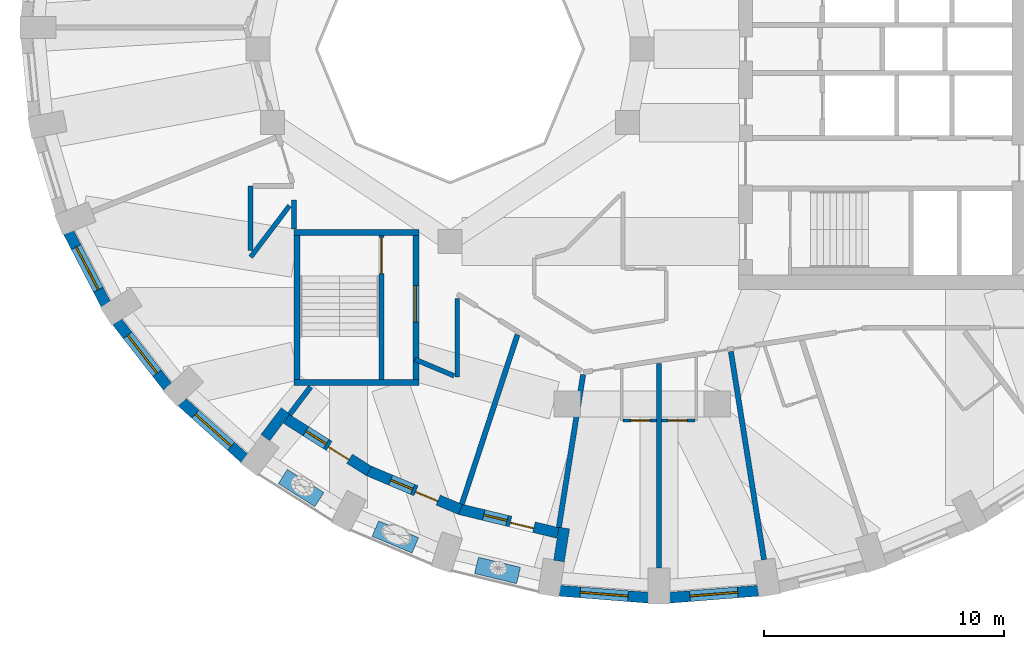
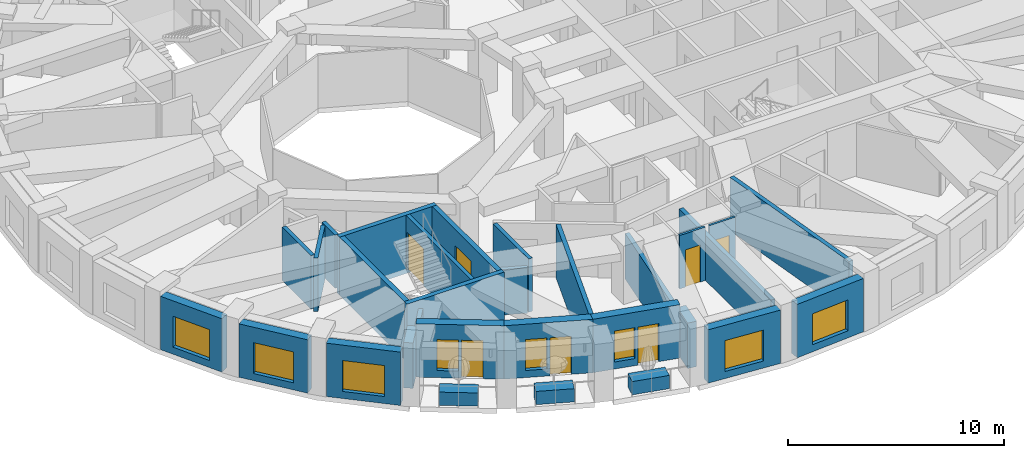
# One storey, part 3 of 12: 30 walls, 8 windows, 7 doors, 15 openings.
"""IFC4 building model written with IfcOpenShell, lengths in metres."""

from ifc_helpers import new_model, si_unit, direction, frame, frame_2d, origin, place, context, subcontext, project, spatial, rectangle, extrude, material, layer, layer_set, constituent, constituent_set, type_object, element, fill, save


model = new_model("IFC4")

# Units and contexts
model_context = context("Model", 3, precision=1e-05, world=origin(), true_north=direction((0.0, 1.0)))
body_context = subcontext(model_context, "Body", "Model", "MODEL_VIEW")
ifc_project = project(units=[si_unit("LENGTHUNIT", "METRE"), si_unit("AREAUNIT", "SQUARE_METRE"), si_unit("VOLUMEUNIT", "CUBIC_METRE"), si_unit("PLANEANGLEUNIT", "RADIAN"), si_unit("MASSUNIT", "GRAM", prefix="KILO")], contexts=[model_context])

# Site, building, storey
site_placement = place(None, origin())
site = spatial("IfcSite", under=ifc_project, at=site_placement, CompositionType="ELEMENT")
building_placement = place(site_placement, origin())
building = spatial("IfcBuilding", under=site, at=building_placement, Name="Taillehof Tower", CompositionType="ELEMENT")
storey_placement = place(building_placement, frame((0.0, 0.0, 215.60009765625)))
storey = spatial("IfcBuildingStorey", under=building, at=storey_placement, Name="L61", CompositionType="ELEMENT", Elevation=215.60009765625)

# Wall, opening, window
ifc_material_1 = material(Name="Brick masonry", Category="masonry")
ifc_layer_1 = layer(ifc_material_1, 0.449951171875)
ifc_layer_set_1 = layer_set([ifc_layer_1], Name="Brick infill wall 450")
wall_type_1 = type_object("IfcWallType", Name="Brick infill wall 450", PredefinedType="SOLIDWALL", material=ifc_layer_set_1)
wall_1_placement = place(storey_placement, frame((-23.878173828125, -7.631591796875, 0.0), z_axis=(0.0, 0.0, 1.0), x_axis=(0.460232593174, -0.887798378113, 0.0)))
wall_1 = element("IfcWall", 1, at=wall_1_placement, inside=storey, type_object=wall_type_1, Name="Brick wall L61 bay 21", PredefinedType="SOLIDWALL", context=body_context, shape_type="SweptSolid", body=[
    extrude(rectangle(XDim=3.37060546875, YDim=0.449951171875, at=frame_2d((1.685302734375, 0.0))), origin(), (0.0, 0.0, 1.0), 3.02001953125),
])
opening_1_placement = place(wall_1_placement, frame((0.685302734375, 0.0, 0.39990234375)))
opening_1 = element("IfcOpeningElement", 2, at=opening_1_placement, cuts=wall_1, Name="Opening W2", PredefinedType="OPENING", context=body_context, shape_type="SweptSolid", body=[
    extrude(rectangle(XDim=2.0, YDim=1.75, at=frame_2d((1.0, 0.875))), frame((0.0, 0.23486328125, 0.0), z_axis=(0.0, -1.0, 0.0), x_axis=(1.0, 0.0, 0.0)), (0.0, 0.0, 1.0), 0.469970703125),
])
ifc_material_2 = material(Name="Aluminium window frame with clear double glazing", Category="aluminium")
window_type_1 = type_object("IfcWindowType", Name="Deep-set window 2000x1750", PartitioningType="SINGLE_PANEL", PredefinedType="WINDOW", material=ifc_material_2)
window_1_placement = place(opening_1_placement, origin())
window_1 = element("IfcWindow", 3, at=window_1_placement, inside=storey, type_object=window_type_1, Name="W2", OverallHeight=1.75, OverallWidth=2.0, PartitioningType="SINGLE_PANEL", PredefinedType="WINDOW", context=body_context, shape_type="SweptSolid", body=[
    extrude(rectangle(XDim=2.0, YDim=1.75, at=frame_2d((1.0, 0.875))), frame((0.0, 0.034912109375, 0.0), z_axis=(0.0, -1.0, 0.0), x_axis=(1.0, 0.0, 0.0)), (0.0, 0.0, 1.0), 0.06005859375),
])
fill(opening_1, window_1)

wall_2_placement = place(storey_placement, frame((-21.86279296875, -11.348388671875, 0.0), z_axis=(0.0, 0.0, 1.0), x_axis=(0.614255239631, -0.789107407509, 0.0)))
wall_2 = element("IfcWall", 4, at=wall_2_placement, inside=storey, type_object=wall_type_1, Name="Brick wall L61 bay 22", PredefinedType="SOLIDWALL", context=body_context, shape_type="SweptSolid", body=[
    extrude(rectangle(XDim=3.4375, YDim=0.449951171875, at=frame_2d((1.71875, 0.0))), origin(), (0.0, 0.0, 1.0), 3.02001953125),
])
opening_2_placement = place(wall_2_placement, frame((0.71875, 0.0, 0.39990234375)))
opening_2 = element("IfcOpeningElement", 5, at=opening_2_placement, cuts=wall_2, Name="Opening W2", PredefinedType="OPENING", context=body_context, shape_type="SweptSolid", body=[
    extrude(rectangle(XDim=2.0, YDim=1.75, at=frame_2d((1.0, 0.875))), frame((0.0, 0.23486328125, 0.0), z_axis=(0.0, -1.0, 0.0), x_axis=(1.0, 0.0, 0.0)), (0.0, 0.0, 1.0), 0.469970703125),
])
window_2_placement = place(opening_2_placement, origin())
window_2 = element("IfcWindow", 6, at=window_2_placement, inside=storey, type_object=window_type_1, Name="W2", OverallHeight=1.75, OverallWidth=2.0, PartitioningType="SINGLE_PANEL", PredefinedType="WINDOW", context=body_context, shape_type="SweptSolid", body=[
    extrude(rectangle(XDim=2.0, YDim=1.75, at=frame_2d((1.0, 0.875))), frame((0.0, 0.034912109375, 0.0), z_axis=(0.0, -1.0, 0.0), x_axis=(1.0, 0.0, 0.0)), (0.0, 0.0, 1.0), 0.06005859375),
])
fill(opening_2, window_2)

wall_3_placement = place(storey_placement, frame((-19.1650390625, -14.6904296875, 0.0), z_axis=(0.0, 0.0, 1.0), x_axis=(0.743442727602, -0.668799604348, 0.0)))
wall_3 = element("IfcWall", 7, at=wall_3_placement, inside=storey, type_object=wall_type_1, Name="Brick wall L61 bay 23", PredefinedType="SOLIDWALL", context=body_context, shape_type="SweptSolid", body=[
    extrude(rectangle(XDim=3.5126953125, YDim=0.449951171875, at=frame_2d((1.75634765625, 0.0))), origin(), (0.0, 0.0, 1.0), 3.02001953125),
])
opening_3_placement = place(wall_3_placement, frame((0.75634765625, 0.0, 0.39990234375)))
opening_3 = element("IfcOpeningElement", 8, at=opening_3_placement, cuts=wall_3, Name="Opening W2", PredefinedType="OPENING", context=body_context, shape_type="SweptSolid", body=[
    extrude(rectangle(XDim=2.0, YDim=1.75, at=frame_2d((1.0, 0.875))), frame((0.0, 0.23486328125, 0.0), z_axis=(0.0, -1.0, 0.0), x_axis=(1.0, 0.0, 0.0)), (0.0, 0.0, 1.0), 0.469970703125),
])
window_3_placement = place(opening_3_placement, origin())
window_3 = element("IfcWindow", 9, at=window_3_placement, inside=storey, type_object=window_type_1, Name="W2", OverallHeight=1.75, OverallWidth=2.0, PartitioningType="SINGLE_PANEL", PredefinedType="WINDOW", context=body_context, shape_type="SweptSolid", body=[
    extrude(rectangle(XDim=2.0, YDim=1.75, at=frame_2d((1.0, 0.875))), frame((0.0, 0.034912109375, 0.0), z_axis=(0.0, -1.0, 0.0), x_axis=(1.0, 0.0, 0.0)), (0.0, 0.0, 1.0), 0.06005859375),
])
fill(opening_3, window_3)

wall_4_placement = place(storey_placement, frame((-3.441162109375, -22.54833984375, 0.0), z_axis=(0.0, 0.0, 1.0), x_axis=(0.996913971077, -0.078501810629, 0.0)))
wall_4 = element("IfcWall", 10, at=wall_4_placement, inside=storey, type_object=wall_type_1, Name="Brick wall L61 bay 27", PredefinedType="SOLIDWALL", context=body_context, shape_type="SweptSolid", body=[
    extrude(rectangle(XDim=3.72265625, YDim=0.449951171875, at=frame_2d((1.861328125, 0.0))), origin(), (0.0, 0.0, 1.0), 3.02001953125),
])
opening_4_placement = place(wall_4_placement, frame((0.861328125, 0.0, 0.39990234375)))
opening_4 = element("IfcOpeningElement", 11, at=opening_4_placement, cuts=wall_4, Name="Opening W2", PredefinedType="OPENING", context=body_context, shape_type="SweptSolid", body=[
    extrude(rectangle(XDim=2.0, YDim=1.75, at=frame_2d((1.0, 0.875))), frame((0.0, 0.23486328125, 0.0), z_axis=(0.0, -1.0, 0.0), x_axis=(1.0, 0.0, 0.0)), (0.0, 0.0, 1.0), 0.469970703125),
])
window_4_placement = place(opening_4_placement, origin())
window_4 = element("IfcWindow", 12, at=window_4_placement, inside=storey, type_object=window_type_1, Name="W2", OverallHeight=1.75, OverallWidth=2.0, PartitioningType="SINGLE_PANEL", PredefinedType="WINDOW", context=body_context, shape_type="SweptSolid", body=[
    extrude(rectangle(XDim=2.0, YDim=1.75, at=frame_2d((1.0, 0.875))), frame((0.0, 0.034912109375, 0.0), z_axis=(0.0, -1.0, 0.0), x_axis=(1.0, 0.0, 0.0)), (0.0, 0.0, 1.0), 0.06005859375),
])
fill(opening_4, window_4)

wall_5_placement = place(storey_placement, frame((1.130126953125, -22.840576171875, 0.0), z_axis=(0.0, 0.0, 1.0), x_axis=(0.996913566885, 0.078506943392, 0.0)))
wall_5 = element("IfcWall", 13, at=wall_5_placement, inside=storey, type_object=wall_type_1, Name="Brick wall L61 bay 28", PredefinedType="SOLIDWALL", context=body_context, shape_type="SweptSolid", body=[
    extrude(rectangle(XDim=3.722412109375, YDim=0.449951171875, at=frame_2d((1.861328125, 0.0))), origin(), (0.0, 0.0, 1.0), 3.02001953125),
])
opening_5_placement = place(wall_5_placement, frame((0.861328125, 0.0, 0.39990234375)))
opening_5 = element("IfcOpeningElement", 14, at=opening_5_placement, cuts=wall_5, Name="Opening W2", PredefinedType="OPENING", context=body_context, shape_type="SweptSolid", body=[
    extrude(rectangle(XDim=2.0, YDim=1.75, at=frame_2d((1.0, 0.875))), frame((0.0, 0.23486328125, 0.0), z_axis=(0.0, -1.0, 0.0), x_axis=(1.0, 0.0, 0.0)), (0.0, 0.0, 1.0), 0.469970703125),
])
window_5_placement = place(opening_5_placement, origin())
window_5 = element("IfcWindow", 15, at=window_5_placement, inside=storey, type_object=window_type_1, Name="W2", OverallHeight=1.75, OverallWidth=2.0, PartitioningType="SINGLE_PANEL", PredefinedType="WINDOW", context=body_context, shape_type="SweptSolid", body=[
    extrude(rectangle(XDim=2.0, YDim=1.75, at=frame_2d((1.0, 0.875))), frame((0.0, 0.034912109375, 0.0), z_axis=(0.0, -1.0, 0.0), x_axis=(1.0, 0.0, 0.0)), (0.0, 0.0, 1.0), 0.06005859375),
])
fill(opening_5, window_5)

# Walls
wall_6_placement = place(storey_placement, frame((-15.684814453125, -16.169921875, 0.0), z_axis=(0.0, 0.0, 1.0), x_axis=(0.603644757989, 0.797253414011, 0.0)))
element("IfcWall", 16, at=wall_6_placement, inside=storey, type_object=wall_type_1, Name="Brick reveal L61 pocket 7", PredefinedType="SOLIDWALL", context=body_context, shape_type="SweptSolid", body=[
    extrude(rectangle(XDim=1.390869140625, YDim=0.449951171875, at=frame_2d((0.6953125, 0.0))), origin(), (0.0, 0.0, 1.0), 2.56982421875),
])
wall_7_placement = place(storey_placement, frame((-3.46435546875, -21.309326171875, 0.0), z_axis=(0.0, 0.0, 1.0), x_axis=(0.157161757203, 0.98757287431, 0.0)))
element("IfcWall", 17, at=wall_7_placement, inside=storey, type_object=wall_type_1, Name="Brick reveal L61 pocket 7", PredefinedType="SOLIDWALL", context=body_context, shape_type="SweptSolid", body=[
    extrude(rectangle(XDim=1.390380859375, YDim=0.449951171875, at=frame_2d((0.6953125, 0.0))), origin(), (0.0, 0.0, 1.0), 2.56982421875),
])

# Wall, openings, door, window
wall_8_placement = place(storey_placement, frame((-14.813232421875, -15.3916015625, 0.0), z_axis=(0.0, 0.0, 1.0), x_axis=(0.84545185308, -0.534051649303, 0.0)))
wall_8 = element("IfcWall", 18, at=wall_8_placement, inside=storey, type_object=wall_type_1, Name="Brick wall L61 pocket bay 24", PredefinedType="SOLIDWALL", context=body_context, shape_type="SweptSolid", body=[
    extrude(rectangle(XDim=4.0712890625, YDim=0.449951171875, at=frame_2d((2.03564453125, 0.0))), origin(), (0.0, 0.0, 1.0), 3.02001953125),
])
opening_6_placement = place(wall_8_placement, frame((0.960693359375, 0.0, 0.39990234375)))
opening_6 = element("IfcOpeningElement", 19, at=opening_6_placement, cuts=wall_8, Name="Opening W5", PredefinedType="OPENING", context=body_context, shape_type="SweptSolid", body=[
    extrude(rectangle(XDim=1.0, YDim=1.75, at=frame_2d((0.5, 0.875))), frame((0.0, 0.23486328125, 0.0), z_axis=(0.0, -1.0, 0.0), x_axis=(1.0, 0.0, 0.0)), (0.0, 0.0, 1.0), 0.469970703125),
])
opening_7_placement = place(wall_8_placement, frame((2.110595703125, 0.0, 0.0)))
opening_7 = element("IfcOpeningElement", 20, at=opening_7_placement, cuts=wall_8, Name="Opening D6191", PredefinedType="OPENING", context=body_context, shape_type="SweptSolid", body=[
    extrude(rectangle(XDim=1.0, YDim=2.14990234375, at=frame_2d((0.5, 1.074951171875))), frame((0.0, 0.23486328125, 0.0), z_axis=(0.0, -1.0, 0.0), x_axis=(1.0, 0.0, 0.0)), (0.0, 0.0, 1.0), 0.469970703125),
])
ifc_material_3 = material(Name="Aluminium door frame with clear double glazing", Category="aluminium")
door_type_1 = type_object("IfcDoorType", Name="Balcony door 1000x2150", OperationType="SINGLE_SWING_RIGHT", PredefinedType="DOOR", material=ifc_material_3)
door_1_placement = place(opening_7_placement, frame((1.0, 0.0, 0.0), z_axis=(0.0, 0.0, 1.0), x_axis=(-1.0, 0.0, 0.0)))
door_1 = element("IfcDoor", 21, at=door_1_placement, inside=storey, type_object=door_type_1, Name="Balcony door L61 bay 24", OperationType="SINGLE_SWING_RIGHT", OverallHeight=2.14990234375, OverallWidth=1.0, PredefinedType="DOOR", context=body_context, shape_type="SweptSolid", body=[
    extrude(rectangle(XDim=1.0, YDim=2.14990234375, at=frame_2d((0.5, 1.074951171875))), frame((0.0, 0.0751953125, 0.0), z_axis=(0.0, -1.0, 0.0), x_axis=(1.0, 0.0, 0.0)), (0.0, 0.0, 1.0), 0.050048828125),
])
fill(opening_7, door_1)
ifc_material_4 = material(Name="Aluminium window frame with clear double glazing", Category="aluminium")
window_type_2 = type_object("IfcWindowType", Name="Fixed window 1000x1750", PartitioningType="SINGLE_PANEL", PredefinedType="WINDOW", material=ifc_material_4)
window_6_placement = place(opening_6_placement, origin())
window_6 = element("IfcWindow", 22, at=window_6_placement, inside=storey, type_object=window_type_2, Name="W5", OverallHeight=1.75, OverallWidth=1.0, PartitioningType="SINGLE_PANEL", PredefinedType="WINDOW", context=body_context, shape_type="SweptSolid", body=[
    extrude(rectangle(XDim=1.0, YDim=1.75, at=frame_2d((0.5, 0.875))), frame((0.0, 0.034912109375, 0.0), z_axis=(0.0, -1.0, 0.0), x_axis=(1.0, 0.0, 0.0)), (0.0, 0.0, 1.0), 0.06005859375),
])
fill(opening_6, window_6)

wall_9_placement = place(storey_placement, frame((-11.404052734375, -17.548583984375, 0.0), z_axis=(0.0, 0.0, 1.0), x_axis=(0.921751093055, -0.387782055351, 0.0)))
wall_9 = element("IfcWall", 23, at=wall_9_placement, inside=storey, type_object=wall_type_1, Name="Brick wall L61 pocket bay 25", PredefinedType="SOLIDWALL", context=body_context, shape_type="SweptSolid", body=[
    extrude(rectangle(XDim=4.16845703125, YDim=0.449951171875, at=frame_2d((2.084228515625, 0.0))), origin(), (0.0, 0.0, 1.0), 3.02001953125),
])
opening_8_placement = place(wall_9_placement, frame((1.00927734375, 0.0, 0.39990234375)))
opening_8 = element("IfcOpeningElement", 24, at=opening_8_placement, cuts=wall_9, Name="Opening W5", PredefinedType="OPENING", context=body_context, shape_type="SweptSolid", body=[
    extrude(rectangle(XDim=1.0, YDim=1.75, at=frame_2d((0.5, 0.875))), frame((0.0, 0.23486328125, 0.0), z_axis=(0.0, -1.0, 0.0), x_axis=(1.0, 0.0, 0.0)), (0.0, 0.0, 1.0), 0.469970703125),
])
opening_9_placement = place(wall_9_placement, frame((2.1591796875, 0.0, 0.0)))
opening_9 = element("IfcOpeningElement", 25, at=opening_9_placement, cuts=wall_9, Name="Opening D6192", PredefinedType="OPENING", context=body_context, shape_type="SweptSolid", body=[
    extrude(rectangle(XDim=1.0, YDim=2.14990234375, at=frame_2d((0.5, 1.074951171875))), frame((0.0, 0.23486328125, 0.0), z_axis=(0.0, -1.0, 0.0), x_axis=(1.0, 0.0, 0.0)), (0.0, 0.0, 1.0), 0.469970703125),
])
door_2_placement = place(opening_9_placement, frame((1.0, 0.0, 0.0), z_axis=(0.0, 0.0, 1.0), x_axis=(-1.0, 0.0, 0.0)))
door_2 = element("IfcDoor", 26, at=door_2_placement, inside=storey, type_object=door_type_1, Name="Balcony door L61 bay 25", OperationType="SINGLE_SWING_LEFT", OverallHeight=2.14990234375, OverallWidth=1.0, PredefinedType="DOOR", context=body_context, shape_type="SweptSolid", body=[
    extrude(rectangle(XDim=1.0, YDim=2.14990234375, at=frame_2d((0.5, 1.074951171875))), frame((0.0, 0.0751953125, 0.0), z_axis=(0.0, -1.0, 0.0), x_axis=(1.0, 0.0, 0.0)), (0.0, 0.0, 1.0), 0.050048828125),
])
fill(opening_9, door_2)
window_7_placement = place(opening_8_placement, origin())
window_7 = element("IfcWindow", 27, at=window_7_placement, inside=storey, type_object=window_type_2, Name="W5", OverallHeight=1.75, OverallWidth=1.0, PartitioningType="SINGLE_PANEL", PredefinedType="WINDOW", context=body_context, shape_type="SweptSolid", body=[
    extrude(rectangle(XDim=1.0, YDim=1.75, at=frame_2d((0.5, 0.875))), frame((0.0, 0.034912109375, 0.0), z_axis=(0.0, -1.0, 0.0), x_axis=(1.0, 0.0, 0.0)), (0.0, 0.0, 1.0), 0.06005859375),
])
fill(opening_8, window_7)

wall_10_placement = place(storey_placement, frame((-7.595947265625, -19.15380859375, 0.0), z_axis=(0.0, 0.0, 1.0), x_axis=(0.972004107579, -0.234963858602, 0.0)))
wall_10 = element("IfcWall", 28, at=wall_10_placement, inside=storey, type_object=wall_type_1, Name="Brick wall L61 pocket bay 26", PredefinedType="SOLIDWALL", context=body_context, shape_type="SweptSolid", body=[
    extrude(rectangle(XDim=4.20703125, YDim=0.449951171875, at=frame_2d((2.103515625, 0.0))), origin(), (0.0, 0.0, 1.0), 3.02001953125),
])
opening_10_placement = place(wall_10_placement, frame((1.028564453125, 0.0, 0.39990234375)))
opening_10 = element("IfcOpeningElement", 29, at=opening_10_placement, cuts=wall_10, Name="Opening W5", PredefinedType="OPENING", context=body_context, shape_type="SweptSolid", body=[
    extrude(rectangle(XDim=1.0, YDim=1.75, at=frame_2d((0.5, 0.875))), frame((0.0, 0.23486328125, 0.0), z_axis=(0.0, -1.0, 0.0), x_axis=(1.0, 0.0, 0.0)), (0.0, 0.0, 1.0), 0.469970703125),
])
opening_11_placement = place(wall_10_placement, frame((2.1787109375, 0.0, 0.0)))
opening_11 = element("IfcOpeningElement", 30, at=opening_11_placement, cuts=wall_10, Name="Opening D6193", PredefinedType="OPENING", context=body_context, shape_type="SweptSolid", body=[
    extrude(rectangle(XDim=1.0, YDim=2.14990234375, at=frame_2d((0.5, 1.074951171875))), frame((0.0, 0.23486328125, 0.0), z_axis=(0.0, -1.0, 0.0), x_axis=(1.0, 0.0, 0.0)), (0.0, 0.0, 1.0), 0.469970703125),
])
door_3_placement = place(opening_11_placement, frame((1.0, 0.0, 0.0), z_axis=(0.0, 0.0, 1.0), x_axis=(-1.0, 0.0, 0.0)))
door_3 = element("IfcDoor", 31, at=door_3_placement, inside=storey, type_object=door_type_1, Name="Balcony door L61 bay 26", OperationType="SINGLE_SWING_LEFT", OverallHeight=2.14990234375, OverallWidth=1.0, PredefinedType="DOOR", context=body_context, shape_type="SweptSolid", body=[
    extrude(rectangle(XDim=1.0, YDim=2.14990234375, at=frame_2d((0.5, 1.074951171875))), frame((0.0, 0.0751953125, 0.0), z_axis=(0.0, -1.0, 0.0), x_axis=(1.0, 0.0, 0.0)), (0.0, 0.0, 1.0), 0.050048828125),
])
fill(opening_11, door_3)
window_8_placement = place(opening_10_placement, origin())
window_8 = element("IfcWindow", 32, at=window_8_placement, inside=storey, type_object=window_type_2, Name="W5", OverallHeight=1.75, OverallWidth=1.0, PartitioningType="SINGLE_PANEL", PredefinedType="WINDOW", context=body_context, shape_type="SweptSolid", body=[
    extrude(rectangle(XDim=1.0, YDim=1.75, at=frame_2d((0.5, 0.875))), frame((0.0, 0.034912109375, 0.0), z_axis=(0.0, -1.0, 0.0), x_axis=(1.0, 0.0, 0.0)), (0.0, 0.0, 1.0), 0.06005859375),
])
fill(opening_10, window_8)

# Walls
ifc_material_5 = material(Name="Gypsum board on steel studs, two layers each side", Category="steel")
ifc_layer_2 = layer(ifc_material_5, 0.199951171875)
ifc_layer_set_2 = layer_set([ifc_layer_2], Name="Compartment wall corridor 200")
wall_type_2 = type_object("IfcWallType", Name="Compartment wall corridor 200", PredefinedType="PARTITIONING", material=ifc_layer_set_2)
wall_11_placement = place(storey_placement, frame((-7.699951171875, -10.37548828125, 0.0), z_axis=(0.0, 0.0, 1.0), x_axis=(0.0, -1.0, 0.0)))
element("IfcWall", 33, at=wall_11_placement, inside=storey, type_object=wall_type_2, Name="Compartment wall", PredefinedType="PARTITIONING", context=body_context, shape_type="SweptSolid", body=[
    extrude(rectangle(XDim=3.27978515625, YDim=0.199951171875, at=frame_2d((1.639892578125, 0.0))), origin(), (0.0, 0.0, 1.0), 3.02001953125),
])
wall_12_placement = place(storey_placement, frame((-7.829833984375, -13.6005859375, 0.0), z_axis=(0.0, 0.0, 1.0), x_axis=(-0.921793770535, 0.387680596112, 0.0)))
element("IfcWall", 34, at=wall_12_placement, inside=storey, type_object=wall_type_2, Name="Compartment wall", PredefinedType="PARTITIONING", context=body_context, shape_type="SweptSolid", body=[
    extrude(rectangle(XDim=1.76904296875, YDim=0.199951171875, at=frame_2d((0.884521484375, 0.0))), origin(), (0.0, 0.0, 1.0), 2.56982421875),
])
wall_13_placement = place(storey_placement, frame((-14.5, -7.49609375, 0.0), z_axis=(0.0, 0.0, 1.0), x_axis=(0.0, 1.0, 0.0)))
element("IfcWall", 35, at=wall_13_placement, inside=storey, type_object=wall_type_2, Name="Compartment wall", PredefinedType="PARTITIONING", context=body_context, shape_type="SweptSolid", body=[
    extrude(rectangle(XDim=1.2158203125, YDim=0.199951171875, at=frame_2d((0.60791015625, 0.0))), origin(), (0.0, 0.0, 1.0), 3.02001953125),
])
wall_14_placement = place(storey_placement, frame((-14.679443359375, -6.518310546875, 0.0), z_axis=(0.0, 0.0, 1.0), x_axis=(-0.603820908912, -0.797120009761, 0.0)))
element("IfcWall", 36, at=wall_14_placement, inside=storey, type_object=wall_type_2, Name="Compartment wall", PredefinedType="PARTITIONING", context=body_context, shape_type="SweptSolid", body=[
    extrude(rectangle(XDim=2.683837890625, YDim=0.199951171875, at=frame_2d((1.341796875, 0.0))), origin(), (0.0, 0.0, 1.0), 3.02001953125),
])
wall_15_placement = place(storey_placement, frame((-16.300048828125, -8.37744140625, 0.0), z_axis=(0.0, 0.0, 1.0), x_axis=(0.0, 1.0, 0.0)))
element("IfcWall", 37, at=wall_15_placement, inside=storey, type_object=wall_type_2, Name="Compartment wall", PredefinedType="PARTITIONING", context=body_context, shape_type="SweptSolid", body=[
    extrude(rectangle(XDim=2.677490234375, YDim=0.199951171875, at=frame_2d((1.3388671875, 0.0))), origin(), (0.0, 0.0, 1.0), 3.02001953125),
])
ifc_material_6 = material(Name="Gypsum board on double steel studs with mineral wool", Category="steel")
ifc_layer_3 = layer(ifc_material_6, 0.219970703125)
ifc_layer_set_3 = layer_set([ifc_layer_3], Name="Compartment wall guest room 220")
wall_type_3 = type_object("IfcWallType", Name="Compartment wall guest room 220", PredefinedType="PARTITIONING", material=ifc_layer_set_3)
wall_16_placement = place(storey_placement, frame((-14.677001953125, -15.21142578125, 0.0), z_axis=(0.0, 0.0, 1.0), x_axis=(0.603665965776, 0.797237355976, 0.0)))
element("IfcWall", 38, at=wall_16_placement, inside=storey, type_object=wall_type_3, Name="Compartment wall", PredefinedType="PARTITIONING", context=body_context, shape_type="SweptSolid", body=[
    extrude(rectangle(XDim=1.446533203125, YDim=0.219970703125, at=frame_2d((0.72314453125, 0.0))), origin(), (0.0, 0.0, 1.0), 2.56982421875),
])
wall_17_placement = place(storey_placement, frame((-7.508056640625, -18.943603515625, 0.0), z_axis=(0.0, 0.0, 1.0), x_axis=(0.311962912662, 0.950094280124, 0.0)))
element("IfcWall", 39, at=wall_17_placement, inside=storey, type_object=wall_type_3, Name="Compartment wall", PredefinedType="PARTITIONING", context=body_context, shape_type="SweptSolid", body=[
    extrude(rectangle(XDim=7.424560546875, YDim=0.219970703125, at=frame_2d((3.71240234375, 0.0))), origin(), (0.0, 0.0, 1.0), 3.02001953125),
])
wall_18_placement = place(storey_placement, frame((-3.470947265625, -19.91943359375, 0.0), z_axis=(0.0, 0.0, 1.0), x_axis=(0.157082319053, 0.987585512774, 0.0)))
element("IfcWall", 40, at=wall_18_placement, inside=storey, type_object=wall_type_3, Name="Compartment wall", PredefinedType="PARTITIONING", context=body_context, shape_type="SweptSolid", body=[
    extrude(rectangle(XDim=6.448486328125, YDim=0.219970703125, at=frame_2d((3.22412109375, 0.0))), origin(), (0.0, 0.0, 1.0), 2.56982421875),
])
wall_19_placement = place(storey_placement, frame((0.699951171875, -21.60009765625, 0.0), z_axis=(0.0, 0.0, 1.0), x_axis=(0.0, 1.0, 0.0)))
element("IfcWall", 41, at=wall_19_placement, inside=storey, type_object=wall_type_3, Name="Compartment wall", PredefinedType="PARTITIONING", context=body_context, shape_type="SweptSolid", body=[
    extrude(rectangle(XDim=8.521240234375, YDim=0.219970703125, at=frame_2d((4.2607421875, 0.0))), origin(), (0.0, 0.0, 1.0), 2.56982421875),
])
wall_20_placement = place(storey_placement, frame((5.071044921875, -21.256103515625, 0.0), z_axis=(0.0, 0.0, 1.0), x_axis=(-0.157132312818, 0.987577559622, 0.0)))
element("IfcWall", 42, at=wall_20_placement, inside=storey, type_object=wall_type_3, Name="Compartment wall", PredefinedType="PARTITIONING", context=body_context, shape_type="SweptSolid", body=[
    extrude(rectangle(XDim=8.777099609375, YDim=0.219970703125, at=frame_2d((4.388671875, 0.0))), origin(), (0.0, 0.0, 1.0), 3.02001953125),
])

# Wall, opening, door
ifc_material_7 = material(Name="Gypsum board on steel studs, moisture resistant", Category="steel")
ifc_layer_4 = layer(ifc_material_7, 0.1201171875)
ifc_layer_set_4 = layer_set([ifc_layer_4], Name="En-suite wall 120")
wall_type_4 = type_object("IfcWallType", Name="En-suite wall 120", PredefinedType="PARTITIONING", material=ifc_layer_set_4)
wall_21_placement = place(storey_placement, frame((-0.7900390625, -15.45751953125, 0.0), z_axis=(0.0, 0.0, 1.0), x_axis=(1.0, 0.0, 0.0)))
wall_21 = element("IfcWall", 43, at=wall_21_placement, inside=storey, type_object=wall_type_4, Name="En-suite wall", PredefinedType="PARTITIONING", context=body_context, shape_type="SweptSolid", body=[
    extrude(rectangle(XDim=1.3798828125, YDim=0.1201171875, at=frame_2d((0.68994140625, 0.0))), origin(), (0.0, 0.0, 1.0), 3.02001953125),
])
opening_12_placement = place(wall_21_placement, frame((0.31494140625, 0.0, 0.0)))
opening_12 = element("IfcOpeningElement", 44, at=opening_12_placement, cuts=wall_21, Name="Opening D6155", PredefinedType="OPENING", context=body_context, shape_type="SweptSolid", body=[
    extrude(rectangle(XDim=0.800048828125, YDim=2.10009765625, at=frame_2d((0.39990234375, 1.050048828125))), frame((0.0, 0.070068359375, 0.0), z_axis=(0.0, -1.0, 0.0), x_axis=(1.0, 0.0, 0.0)), (0.0, 0.0, 1.0), 0.14013671875),
])
ifc_material_8 = material(Name="Timber door leaf in steel frame", Category="steel")
door_type_2 = type_object("IfcDoorType", Name="En-suite door 800 x 2100", OperationType="SINGLE_SWING_LEFT", PredefinedType="DOOR", material=ifc_material_8)
door_4_placement = place(opening_12_placement, origin())
door_4 = element("IfcDoor", 45, at=door_4_placement, inside=storey, type_object=door_type_2, Name="D6155", OperationType="SINGLE_SWING_LEFT", OverallHeight=2.10009765625, OverallWidth=0.800048828125, PredefinedType="DOOR", context=body_context, shape_type="SweptSolid", body=[
    extrude(rectangle(XDim=0.800048828125, YDim=2.10009765625, at=frame_2d((0.39990234375, 1.050048828125))), frame((0.0, 0.02490234375, 0.0), z_axis=(0.0, -1.0, 0.0), x_axis=(1.0, 0.0, 0.0)), (0.0, 0.0, 1.0), 0.050048828125),
])
fill(opening_12, door_4)

wall_22_placement = place(storey_placement, frame((2.18994140625, -15.45751953125, 0.0), z_axis=(0.0, 0.0, 1.0), x_axis=(-1.0, 0.0, 0.0)))
wall_22 = element("IfcWall", 46, at=wall_22_placement, inside=storey, type_object=wall_type_4, Name="En-suite wall", PredefinedType="PARTITIONING", context=body_context, shape_type="SweptSolid", body=[
    extrude(rectangle(XDim=1.3798828125, YDim=0.1201171875, at=frame_2d((0.68994140625, 0.0))), origin(), (0.0, 0.0, 1.0), 3.02001953125),
])
opening_13_placement = place(wall_22_placement, frame((0.31494140625, 0.0, 0.0)))
opening_13 = element("IfcOpeningElement", 47, at=opening_13_placement, cuts=wall_22, Name="Opening D6157", PredefinedType="OPENING", context=body_context, shape_type="SweptSolid", body=[
    extrude(rectangle(XDim=0.800048828125, YDim=2.10009765625, at=frame_2d((0.39990234375, 1.050048828125))), frame((0.0, 0.070068359375, 0.0), z_axis=(0.0, -1.0, 0.0), x_axis=(1.0, 0.0, 0.0)), (0.0, 0.0, 1.0), 0.14013671875),
])
door_5_placement = place(opening_13_placement, origin())
door_5 = element("IfcDoor", 48, at=door_5_placement, inside=storey, type_object=door_type_2, Name="D6157", OperationType="SINGLE_SWING_RIGHT", OverallHeight=2.10009765625, OverallWidth=0.800048828125, PredefinedType="DOOR", context=body_context, shape_type="SweptSolid", body=[
    extrude(rectangle(XDim=0.800048828125, YDim=2.10009765625, at=frame_2d((0.39990234375, 1.050048828125))), frame((0.0, 0.02490234375, 0.0), z_axis=(0.0, -1.0, 0.0), x_axis=(1.0, 0.0, 0.0)), (0.0, 0.0, 1.0), 0.050048828125),
])
fill(opening_13, door_5)

# Walls
ifc_material_9 = material(Name="Concrete C30/37 precast", Category="concrete")
ifc_constituent_1 = constituent(ifc_material_9, Name="Structure", Category="concrete")
ifc_material_10 = material(Name="Insulated lining")
ifc_constituent_2 = constituent(ifc_material_10, Name="Lining")
ifc_constituent_set = constituent_set(constituents=[ifc_constituent_1, ifc_constituent_2], Name="Planter trough 700x750")
wall_type_5 = type_object("IfcWallType", Name="Planter trough 700x750", PredefinedType="USERDEFINED", material=ifc_constituent_set)
wall_23_placement = place(storey_placement, frame((-14.959716796875, -17.793212890625, 0.0), z_axis=(0.0, 0.0, 1.0), x_axis=(0.846126379677, -0.532982316418, 0.0)))
element("IfcWall", 49, at=wall_23_placement, inside=storey, type_object=wall_type_5, Name="Planter L61 bay 24", ObjectType="PLANTER", PredefinedType="USERDEFINED", context=body_context, shape_type="SweptSolid", body=[
    extrude(rectangle(XDim=1.80029296875, YDim=0.699951171875, at=frame_2d((0.900146484375, 0.0))), origin(), (0.0, 0.0, 1.0), 0.75),
])
wall_24_placement = place(storey_placement, frame((-11.10595703125, -19.9619140625, 0.0), z_axis=(0.0, 0.0, 1.0), x_axis=(0.922155368213, -0.386819695564, 0.0)))
element("IfcWall", 50, at=wall_24_placement, inside=storey, type_object=wall_type_5, Name="Planter L61 bay 25", ObjectType="PLANTER", PredefinedType="USERDEFINED", context=body_context, shape_type="SweptSolid", body=[
    extrude(rectangle(XDim=1.800048828125, YDim=0.699951171875, at=frame_2d((0.89990234375, 0.0))), origin(), (0.0, 0.0, 1.0), 0.75),
])
wall_25_placement = place(storey_placement, frame((-6.896240234375, -21.4921875, 0.0), z_axis=(0.0, 0.0, 1.0), x_axis=(0.972142986016, -0.234388597717, 0.0)))
element("IfcWall", 51, at=wall_25_placement, inside=storey, type_object=wall_type_5, Name="Planter L61 bay 26", ObjectType="PLANTER", PredefinedType="USERDEFINED", context=body_context, shape_type="SweptSolid", body=[
    extrude(rectangle(XDim=1.7998046875, YDim=0.699951171875, at=frame_2d((0.89990234375, 0.0))), origin(), (0.0, 0.0, 1.0), 0.75),
])

# Wall, opening, door
ifc_material_11 = material(Name="Concrete C50/60", Category="concrete")
ifc_layer_5 = layer(ifc_material_11, 0.199951171875)
ifc_layer_set_5 = layer_set([ifc_layer_5], Name="Shaft wall C50/60 200")
wall_type_6 = type_object("IfcWallType", Name="Shaft wall C50/60 200", PredefinedType="SHEAR", material=ifc_layer_set_5)
wall_26_placement = place(storey_placement, frame((-10.85009765625, -13.75, 0.0), z_axis=(0.0, 0.0, 1.0), x_axis=(0.0, 1.0, 0.0)))
wall_26 = element("IfcWall", 52, at=wall_26_placement, inside=storey, type_object=wall_type_6, Name="Shaft wall SW", PredefinedType="SHEAR", context=body_context, shape_type="SweptSolid", body=[
    extrude(rectangle(XDim=6.0, YDim=0.199951171875, at=frame_2d((3.0, 0.0))), origin(), (0.0, 0.0, 1.0), 3.02001953125),
])
opening_14_placement = place(wall_26_placement, frame((4.39990234375, 0.0, 0.0)))
opening_14 = element("IfcOpeningElement", 53, at=opening_14_placement, cuts=wall_26, Name="Opening D6113", PredefinedType="OPENING", context=body_context, shape_type="SweptSolid", body=[
    extrude(rectangle(XDim=1.5, YDim=2.10009765625, at=frame_2d((0.75, 1.050048828125))), frame((0.0, 0.10986328125, 0.0), z_axis=(0.0, -1.0, 0.0), x_axis=(1.0, 0.0, 0.0)), (0.0, 0.0, 1.0), 0.219970703125),
])
ifc_material_12 = material(Name="Steel-faced fire door", Category="steel")
door_type_3 = type_object("IfcDoorType", Name="Stair door 1500x2100", OperationType="DOUBLE_DOOR_SINGLE_SWING", PredefinedType="DOOR", material=ifc_material_12)
door_6_placement = place(opening_14_placement, origin())
door_6 = element("IfcDoor", 54, at=door_6_placement, inside=storey, type_object=door_type_3, Name="Stair lobby door S4", OperationType="DOUBLE_DOOR_SINGLE_SWING", OverallHeight=2.10009765625, OverallWidth=1.5, PredefinedType="DOOR", context=body_context, shape_type="SweptSolid", body=[
    extrude(rectangle(XDim=1.5, YDim=2.10009765625, at=frame_2d((0.75, 1.050048828125))), frame((0.0, 0.02490234375, 0.0), z_axis=(0.0, -1.0, 0.0), x_axis=(1.0, 0.0, 0.0)), (0.0, 0.0, 1.0), 0.050048828125),
])
fill(opening_14, door_6)

# Wall
ifc_material_13 = material(Name="Concrete C50/60", Category="concrete")
ifc_layer_6 = layer(ifc_material_13, 0.25)
ifc_layer_set_6 = layer_set([ifc_layer_6], Name="Stair wall C50/60 250")
wall_type_7 = type_object("IfcWallType", Name="Stair wall C50/60 250", PredefinedType="SHEAR", material=ifc_layer_set_6)
wall_27_placement = place(storey_placement, frame((-14.375, -13.75, -0.280029296875), z_axis=(0.0, 0.0, 1.0), x_axis=(0.0, 1.0, 0.0)))
element("IfcWall", 55, at=wall_27_placement, inside=storey, type_object=wall_type_7, Name="Stair wall SC", PredefinedType="SHEAR", context=body_context, shape_type="SweptSolid", body=[
    extrude(rectangle(XDim=6.0, YDim=0.25, at=frame_2d((3.0, 0.0))), origin(), (0.0, 0.0, 1.0), 3.300048828125),
])

# Wall, opening, door
wall_28_placement = place(storey_placement, frame((-9.425048828125, -13.75, -0.280029296875), z_axis=(0.0, 0.0, 1.0), x_axis=(0.0, 1.0, 0.0)))
wall_28 = element("IfcWall", 56, at=wall_28_placement, inside=storey, type_object=wall_type_7, Name="Stair wall SC", PredefinedType="SHEAR", context=body_context, shape_type="SweptSolid", body=[
    extrude(rectangle(XDim=6.0, YDim=0.25, at=frame_2d((3.0, 0.0))), origin(), (0.0, 0.0, 1.0), 3.300048828125),
])
opening_15_placement = place(wall_28_placement, frame((2.39990234375, 0.0, 0.280029296875)))
opening_15 = element("IfcOpeningElement", 57, at=opening_15_placement, cuts=wall_28, Name="Opening D6116", PredefinedType="OPENING", context=body_context, shape_type="SweptSolid", body=[
    extrude(rectangle(XDim=1.5, YDim=2.10009765625, at=frame_2d((0.75, 1.050048828125))), frame((0.0, 0.135009765625, 0.0), z_axis=(0.0, -1.0, 0.0), x_axis=(1.0, 0.0, 0.0)), (0.0, 0.0, 1.0), 0.27001953125),
])
door_7_placement = place(opening_15_placement, origin())
door_7 = element("IfcDoor", 58, at=door_7_placement, inside=storey, type_object=door_type_3, Name="Stair door S4", OperationType="DOUBLE_DOOR_SINGLE_SWING", OverallHeight=2.10009765625, OverallWidth=1.5, PredefinedType="DOOR", context=body_context, shape_type="SweptSolid", body=[
    extrude(rectangle(XDim=1.5, YDim=2.10009765625, at=frame_2d((0.75, 1.050048828125))), frame((0.0, 0.02490234375, 0.0), z_axis=(0.0, -1.0, 0.0), x_axis=(1.0, 0.0, 0.0)), (0.0, 0.0, 1.0), 0.050048828125),
])
fill(opening_15, door_7)

# Walls
for number, where, z_axis, x_axis, name in (
    (59, (-14.5, -7.625, -0.280029296875), (0.0, 0.0, 1.0), (1.0, 0.0, 0.0), "Stair wall SC"),
    (60, (-14.5, -13.875, -0.280029296875), (0.0, 0.0, 1.0), (1.0, 0.0, 0.0), "Stair wall SC"),
):
    element("IfcWall", number, at=place(storey_placement, frame(where, z_axis=z_axis, x_axis=x_axis)), inside=storey, type_object=wall_type_7, Name=name, PredefinedType="SHEAR", context=body_context, shape_type="SweptSolid", body=[
        extrude(rectangle(XDim=5.199951171875, YDim=0.25, at=frame_2d((2.60009765625, 0.0))), origin(), (0.0, 0.0, 1.0), 3.300048828125),
    ])

save(model, "model.ifc")
